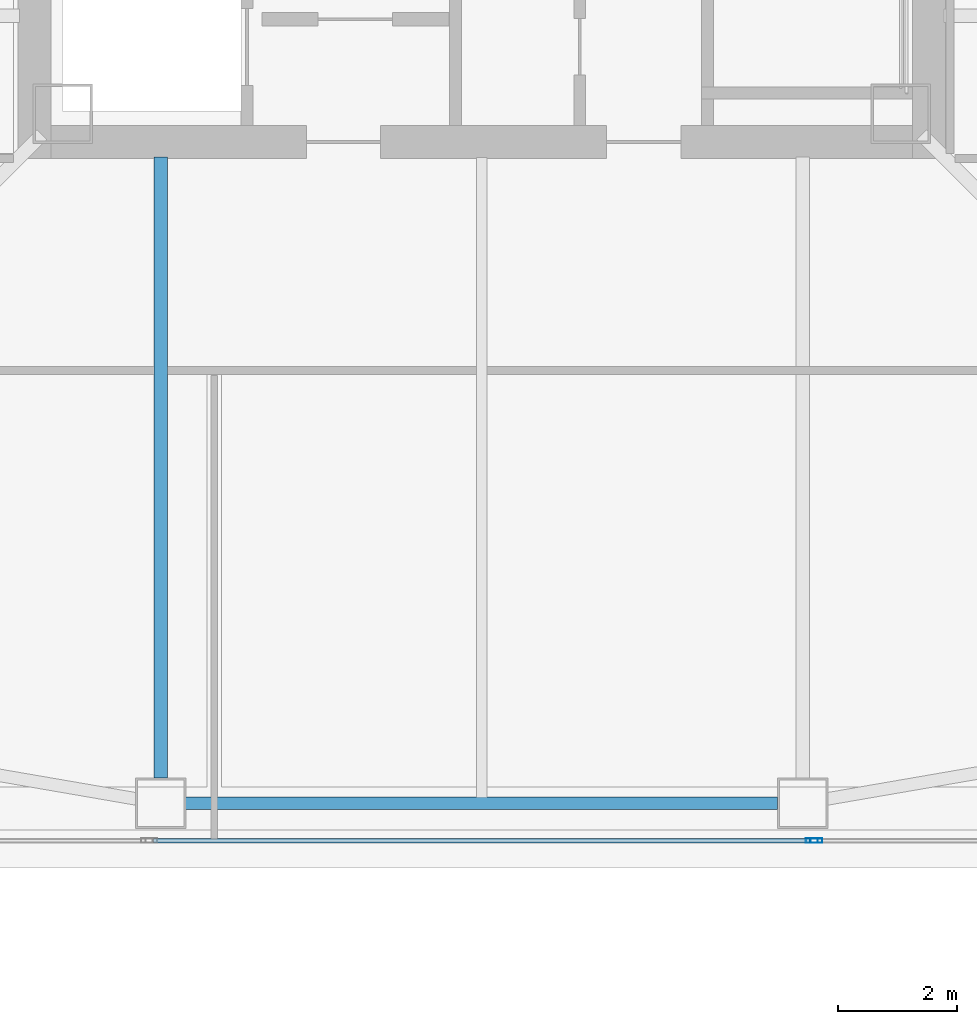
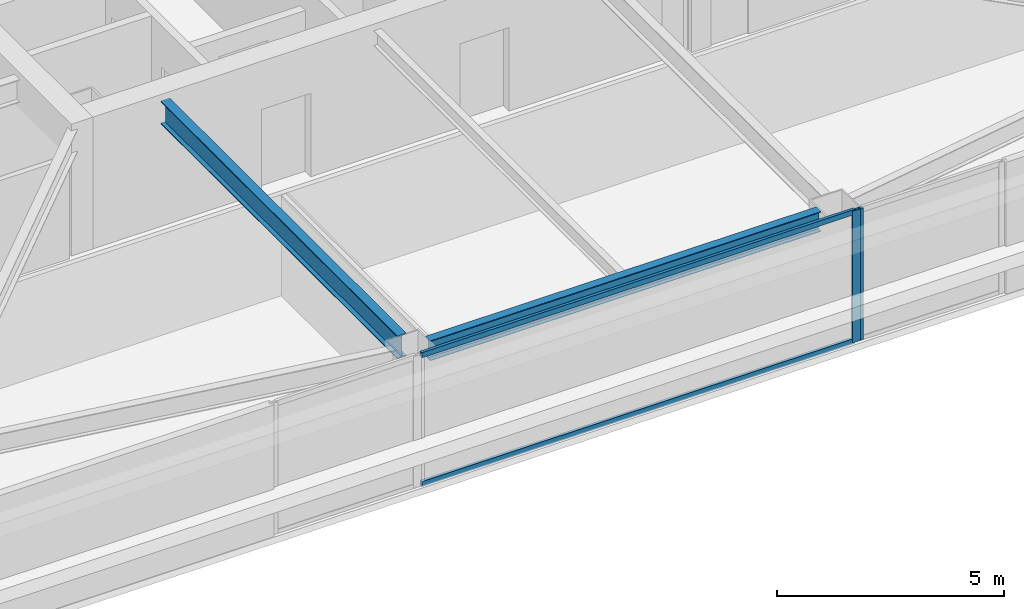
# One storey, part 5 of 41: 4 members, 2 beams, 2 elements without a shape of their own.
"""IFC4 building model written with IfcOpenShell, lengths in metres."""

from ifc_helpers import new_model, si_unit, direction, frame, origin, origin_2d, place, context, subcontext, project, spatial, hollow_rectangle, i_section, extrude, material, material_profile, profile_set, type_object, element, aggregate, save


model = new_model("IFC4")

# Units and contexts
model_context = context("Model", 3, precision=1e-05, world=origin(), true_north=direction((0.0, 1.0)))
body_context = subcontext(model_context, "Body", "Model", "MODEL_VIEW")
ifc_project = project(units=[si_unit("LENGTHUNIT", "METRE"), si_unit("AREAUNIT", "SQUARE_METRE"), si_unit("VOLUMEUNIT", "CUBIC_METRE"), si_unit("PLANEANGLEUNIT", "RADIAN"), si_unit("MASSUNIT", "GRAM", prefix="KILO")], contexts=[model_context])

# Site, building, storey
site_placement = place(None, origin())
site = spatial("IfcSite", under=ifc_project, at=site_placement, CompositionType="ELEMENT")
building_placement = place(site_placement, origin())
building = spatial("IfcBuilding", under=site, at=building_placement, Name="Tashvorn Skyway Center", CompositionType="ELEMENT")
storey_placement = place(building_placement, frame((0.0, 0.0, 146.35009765625)))
storey = spatial("IfcBuildingStorey", under=building, at=storey_placement, Name="L39", CompositionType="ELEMENT", Elevation=146.35009765625)

# Beams
ifc_material_1 = material(Name="Steel ASTM A992 Grade 50", Category="steel")
ifc_material_profile_1 = material_profile(ifc_material_1, i_section(OverallWidth=0.22998046875, OverallDepth=0.616943359375, WebThickness=0.01318359375, FlangeThickness=0.022216796875, at=origin_2d()), Name="W24X94")
ifc_profile_set_1 = profile_set([ifc_material_profile_1], Name="Steel ASTM A992 Grade 50")
beam_type_1 = type_object("IfcBeamType", Name="BM-BEAM-W24X94", PredefinedType="BEAM", material=ifc_profile_set_1)
beam_1_placement = place(storey_placement, frame((36.60009765625, 13.77001953125, 3.0615234375), z_axis=(0.0, 1.0, 0.0), x_axis=(-1.0, 0.0, 0.0)))
element("IfcBeam", 1, at=beam_1_placement, inside=storey, type_object=beam_type_1, Name="Tower 1 L39 Primary Floor Girder FC-S1", PredefinedType="BEAM", context=body_context, shape_type="SweptSolid", body=[
    extrude(i_section(OverallWidth=0.22998046875, OverallDepth=0.616943359375, WebThickness=0.01318359375, FlangeThickness=0.022216796875, at=origin_2d()), origin(), (0.0, 0.0, 1.0), 10.449951171875),
])
ifc_material_profile_2 = material_profile(ifc_material_1, i_section(OverallWidth=0.2109375, OverallDepth=0.5390625, WebThickness=0.01171875, FlangeThickness=0.018798828125, at=origin_2d()), Name="W21X73")
ifc_profile_set_2 = profile_set([ifc_material_profile_2], Name="Steel ASTM A992 Grade 50")
beam_type_2 = type_object("IfcBeamType", Name="BM-SPANDREL-W21X73", PredefinedType="SPANDREL", material=ifc_profile_set_2)
beam_2_placement = place(storey_placement, frame((37.02001953125, 13.35009765625, 3.100341796875), z_axis=(1.0, 0.0, 0.0), x_axis=(0.0, 1.0, 0.0)))
element("IfcBeam", 2, at=beam_2_placement, inside=storey, type_object=beam_type_2, Name="Tower 1 L39 Spandrel Beam 02", PredefinedType="SPANDREL", context=body_context, shape_type="SweptSolid", body=[
    extrude(i_section(OverallWidth=0.2109375, OverallDepth=0.5390625, WebThickness=0.01171875, FlangeThickness=0.018798828125, at=origin_2d()), origin(), (0.0, 0.0, 1.0), 9.9599609375),
])

# Curtain wall, member
ifc_material_2 = material(Name="Thermally broken bronze-anodized aluminium 6063-T6", Category="aluminium")
curtain_wall_type = type_object("IfcCurtainWallType", Name="CW-CW-Z3", PredefinedType="NOTDEFINED", material=ifc_material_2)
curtain_wall_1_placement = place(storey_placement, origin())
curtain_wall_1 = element("IfcCurtainWall", 3, at=curtain_wall_1_placement, inside=storey, type_object=curtain_wall_type, Name="Tower 1 L39 South Unitised Curtain Wall Glazing Group 1", PredefinedType="NOTDEFINED")
ifc_material_profile_3 = material_profile(ifc_material_2, hollow_rectangle(XDim=0.074951171875, YDim=0.199951171875, WallThickness=0.00439453125, at=origin_2d()), Name="ALU-MULL-75x200")
ifc_profile_set_3 = profile_set([ifc_material_profile_3], Name="Thermally broken bronze-anodized aluminium 6063-T6")
member_type_1 = type_object("IfcMemberType", Name="CWM-CW-Z3", PredefinedType="MULLION", material=ifc_profile_set_3)
member_1_placement = place(storey_placement, frame((47.630859375, 12.719970703125, 0.0), z_axis=(0.0, 0.0, 1.0), x_axis=(0.0, -1.0, 0.0)))
member_1 = element("IfcMember", 4, at=member_1_placement, type_object=member_type_1, Name="CW-Z3 mullion 2", PredefinedType="MULLION", context=body_context, shape_type="SweptSolid", body=[
    extrude(hollow_rectangle(XDim=0.074951171875, YDim=0.199951171875, WallThickness=0.00439453125, at=origin_2d()), origin(), (0.0, 0.0, 1.0), 3.5498046875),
])
aggregate(curtain_wall_1, [member_1])

# Curtain wall, members
curtain_wall_2_placement = place(storey_placement, origin())
curtain_wall_2 = element("IfcCurtainWall", 5, at=curtain_wall_2_placement, inside=storey, type_object=curtain_wall_type, Name="Tower 1 L39 South Unitised Curtain Wall Glazing Group 2", PredefinedType="NOTDEFINED")
member_2_placement = place(storey_placement, frame((47.555908203125, 12.719970703125, 0.0), z_axis=(0.0, 0.0, 1.0), x_axis=(0.0, -1.0, 0.0)))
member_2 = element("IfcMember", 6, at=member_2_placement, type_object=member_type_1, Name="CW-Z3 mullion 1", PredefinedType="MULLION", context=body_context, shape_type="SweptSolid", body=[
    extrude(hollow_rectangle(XDim=0.074951171875, YDim=0.199951171875, WallThickness=0.00439453125, at=origin_2d()), origin(), (0.0, 0.0, 1.0), 3.5498046875),
])
ifc_material_profile_4 = material_profile(ifc_material_2, hollow_rectangle(XDim=0.074951171875, YDim=0.139892578125, WallThickness=0.004150390625, at=origin_2d()), Name="ALU-TRAN-75x140")
ifc_profile_set_4 = profile_set([ifc_material_profile_4], Name="Thermally broken bronze-anodized aluminium 6063-T6")
member_type_2 = type_object("IfcMemberType", Name="CWT-CW-Z3", PredefinedType="USERDEFINED", material=ifc_profile_set_4)
member_3_placement = place(storey_placement, frame((47.518310546875, 12.719970703125, 0.037353515625), z_axis=(-1.0, 0.0, 0.0), x_axis=(0.0, -1.0, 0.0)))
member_3 = element("IfcMember", 7, at=member_3_placement, type_object=member_type_2, Name="CW-Z3 transom 1.1", ObjectType="TRANSOM", PredefinedType="USERDEFINED", context=body_context, shape_type="SweptSolid", body=[
    extrude(hollow_rectangle(XDim=0.074951171875, YDim=0.139892578125, WallThickness=0.004150390625, at=origin_2d()), origin(), (0.0, 0.0, 1.0), 11.03662109375),
])
member_4_placement = place(storey_placement, frame((47.518310546875, 12.719970703125, 3.512451171875), z_axis=(-1.0, 0.0, 0.0), x_axis=(0.0, -1.0, 0.0)))
member_4 = element("IfcMember", 8, at=member_4_placement, type_object=member_type_2, Name="CW-Z3 transom 1.2", ObjectType="TRANSOM", PredefinedType="USERDEFINED", context=body_context, shape_type="SweptSolid", body=[
    extrude(hollow_rectangle(XDim=0.074951171875, YDim=0.139892578125, WallThickness=0.004150390625, at=origin_2d()), origin(), (0.0, 0.0, 1.0), 11.03662109375),
])
aggregate(curtain_wall_2, [member_2, member_3, member_4])

save(model, "model.ifc")
